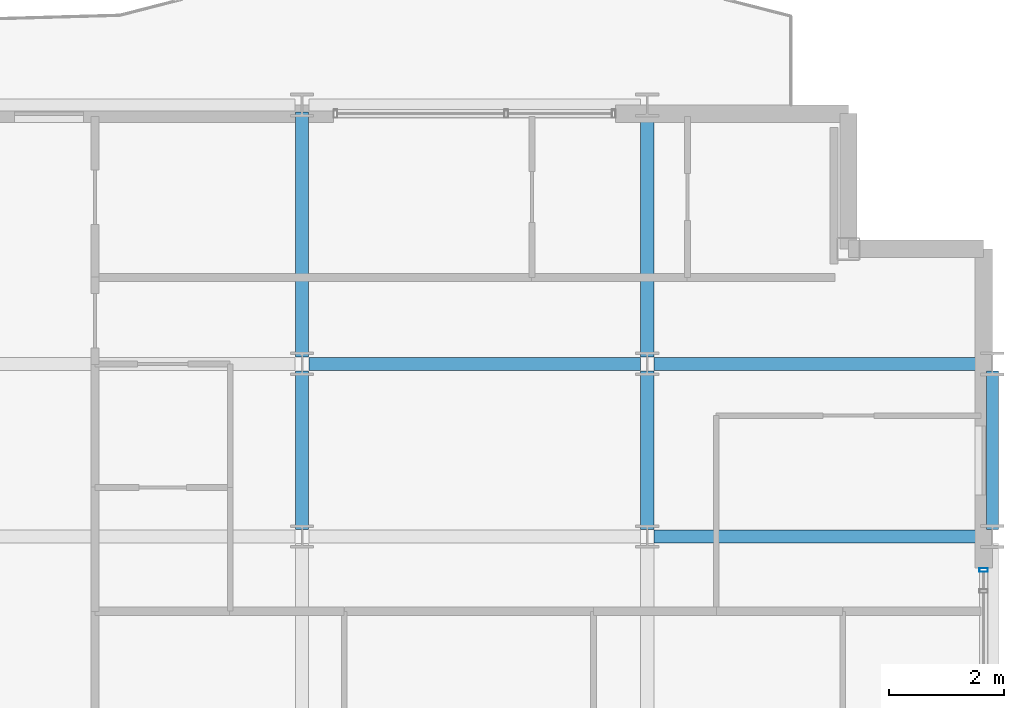
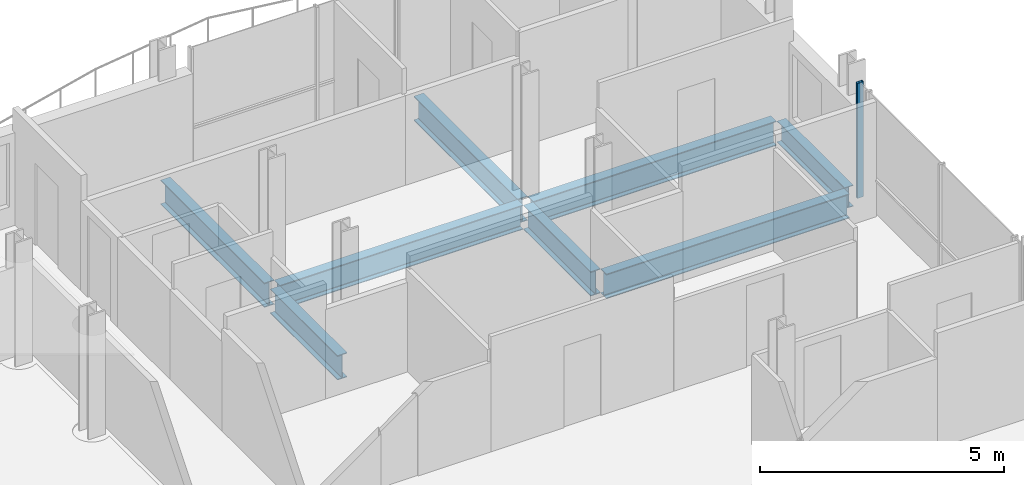
# One storey, part 22 of 41: 8 beams, 1 member, 1 element without a shape of its own.
"""IFC4 building model written with IfcOpenShell, lengths in metres."""

from ifc_helpers import new_model, si_unit, direction, frame, origin, origin_2d, place, context, subcontext, project, spatial, hollow_rectangle, i_section, extrude, material, layer, layer_set, material_profile, profile_set, type_object, element, aggregate, save


model = new_model("IFC4")

# Units and contexts
model_context = context("Model", 3, precision=1e-05, world=origin(), true_north=direction((0.0, 1.0)))
body_context = subcontext(model_context, "Body", "Model", "MODEL_VIEW")
ifc_project = project(units=[si_unit("LENGTHUNIT", "METRE"), si_unit("AREAUNIT", "SQUARE_METRE"), si_unit("VOLUMEUNIT", "CUBIC_METRE"), si_unit("PLANEANGLEUNIT", "RADIAN"), si_unit("MASSUNIT", "GRAM", prefix="KILO")], contexts=[model_context])

# Site, building, storey
site_placement = place(None, origin())
site = spatial("IfcSite", under=ifc_project, at=site_placement, CompositionType="ELEMENT")
building_placement = place(site_placement, origin())
building = spatial("IfcBuilding", under=site, at=building_placement, Name="Brevholm Reach", CompositionType="ELEMENT")
storey_placement = place(building_placement, frame((0.0, 0.0, 157.300048828125)))
storey = spatial("IfcBuildingStorey", under=building, at=storey_placement, Name="L47", CompositionType="ELEMENT", Elevation=157.300048828125)

# Beams
ifc_material_1 = material(Name="Structural Steel S355J2", Category="steel")
ifc_material_profile_1 = material_profile(ifc_material_1, i_section(OverallWidth=0.209228515625, OverallDepth=0.533203125, WebThickness=0.010009765625, FlangeThickness=0.015625, FilletRadius=0.0126953125, at=origin_2d()), Name="UKB 533x210x92")
ifc_profile_set_1 = profile_set([ifc_material_profile_1], Name="Structural Steel S355J2")
beam_type_1 = type_object("IfcBeamType", Name="BM-SP533", PredefinedType="SPANDREL", material=ifc_profile_set_1)
beam_1_placement = place(storey_placement, frame((60.0, 23.6201171875, -0.486572265625), z_axis=(0.0, 1.0, 0.0), x_axis=(-1.0, 0.0, 0.0)))
element("IfcBeam", 1, at=beam_1_placement, inside=storey, type_object=beam_type_1, Name="L47 SP-02 Framing Beam", PredefinedType="SPANDREL", context=body_context, shape_type="SweptSolid", body=[
    extrude(i_section(OverallWidth=0.209228515625, OverallDepth=0.533203125, WebThickness=0.010009765625, FlangeThickness=0.015625, FilletRadius=0.0126953125, at=origin_2d()), origin(), (0.0, 0.0, 1.0), 2.759765625),
])
ifc_material_2 = material(Name="Structural Steel S355J2", Category="steel")
ifc_material_profile_2 = material_profile(ifc_material_2, i_section(OverallWidth=0.22900390625, OverallDepth=0.6123046875, WebThickness=0.011962890625, FlangeThickness=0.01953125, FilletRadius=0.0126953125, at=origin_2d()), Name="UKB 610x229x125")
ifc_profile_set_2 = profile_set([ifc_material_profile_2], Name="Structural Steel S355J2")
beam_type_2 = type_object("IfcBeamType", Name="BM-SP610", PredefinedType="SPANDREL", material=ifc_profile_set_2)
for number, where, z_axis, x_axis, name in (
    (2, (54.1201171875, 23.5, -0.526123046875), (1.0, 0.0, 0.0), (0.0, 1.0, 0.0), "L47 SP-01 Framing Beam"),
    (3, (48.1201171875, 26.5, -0.526123046875), (1.0, 0.0, 0.0), (0.0, 1.0, 0.0), "L47 SP-01 Framing Beam"),
    (4, (54.1201171875, 26.5, -0.526123046875), (1.0, 0.0, 0.0), (0.0, 1.0, 0.0), "L47 SP-01 Framing Beam"),
):
    element("IfcBeam", number, at=place(storey_placement, frame(where, z_axis=z_axis, x_axis=x_axis)), inside=storey, type_object=beam_type_2, Name=name, PredefinedType="SPANDREL", context=body_context, shape_type="SweptSolid", body=[
        extrude(i_section(OverallWidth=0.22900390625, OverallDepth=0.6123046875, WebThickness=0.011962890625, FlangeThickness=0.01953125, FilletRadius=0.0126953125, at=origin_2d()), origin(), (0.0, 0.0, 1.0), 5.759765625),
    ])
beam_2_placement = place(storey_placement, frame((48.0, 23.6201171875, -0.526123046875), z_axis=(0.0, 1.0, 0.0), x_axis=(-1.0, 0.0, 0.0)))
element("IfcBeam", 5, at=beam_2_placement, inside=storey, type_object=beam_type_2, Name="L47 SP-01 Framing Beam", PredefinedType="SPANDREL", context=body_context, shape_type="SweptSolid", body=[
    extrude(i_section(OverallWidth=0.22900390625, OverallDepth=0.6123046875, WebThickness=0.011962890625, FlangeThickness=0.01953125, FilletRadius=0.0126953125, at=origin_2d()), origin(), (0.0, 0.0, 1.0), 2.759765625),
])
beam_3_placement = place(storey_placement, frame((48.0, 26.6201171875, -0.526123046875), z_axis=(0.0, 1.0, 0.0), x_axis=(-1.0, 0.0, 0.0)))
element("IfcBeam", 6, at=beam_3_placement, inside=storey, type_object=beam_type_2, Name="L47 SP-01 Framing Beam", PredefinedType="SPANDREL", context=body_context, shape_type="SweptSolid", body=[
    extrude(i_section(OverallWidth=0.22900390625, OverallDepth=0.6123046875, WebThickness=0.011962890625, FlangeThickness=0.01953125, FilletRadius=0.0126953125, at=origin_2d()), origin(), (0.0, 0.0, 1.0), 4.259765625),
])
beam_4_placement = place(storey_placement, frame((54.0, 23.6201171875, -0.526123046875), z_axis=(0.0, 1.0, 0.0), x_axis=(-1.0, 0.0, 0.0)))
element("IfcBeam", 7, at=beam_4_placement, inside=storey, type_object=beam_type_2, Name="L47 SP-01 Framing Beam", PredefinedType="SPANDREL", context=body_context, shape_type="SweptSolid", body=[
    extrude(i_section(OverallWidth=0.22900390625, OverallDepth=0.6123046875, WebThickness=0.011962890625, FlangeThickness=0.01953125, FilletRadius=0.0126953125, at=origin_2d()), origin(), (0.0, 0.0, 1.0), 2.759765625),
])
beam_5_placement = place(storey_placement, frame((54.0, 26.6201171875, -0.526123046875), z_axis=(0.0, 1.0, 0.0), x_axis=(-1.0, 0.0, 0.0)))
element("IfcBeam", 8, at=beam_5_placement, inside=storey, type_object=beam_type_2, Name="L47 SP-01 Framing Beam", PredefinedType="SPANDREL", context=body_context, shape_type="SweptSolid", body=[
    extrude(i_section(OverallWidth=0.22900390625, OverallDepth=0.6123046875, WebThickness=0.011962890625, FlangeThickness=0.01953125, FilletRadius=0.0126953125, at=origin_2d()), origin(), (0.0, 0.0, 1.0), 4.259765625),
])

# Curtain wall, member
ifc_material_3 = material(Name="Dark Anodised Aluminium 6063-T6 and Solar-Control Glass", Category="aluminium")
ifc_layer = layer(ifc_material_3, 0.14990234375)
ifc_layer_set = layer_set([ifc_layer], Name="Dark Anodised Aluminium 6063-T6 and Solar-Control Glass")
curtain_wall_type = type_object("IfcCurtainWallType", Name="CW-01", PredefinedType="NOTDEFINED", material=ifc_layer_set)
curtain_wall_placement = place(storey_placement, origin())
curtain_wall = element("IfcCurtainWall", 9, at=curtain_wall_placement, inside=storey, type_object=curtain_wall_type, Name="L47 Curtain Wall CW-01", PredefinedType="NOTDEFINED")
ifc_material_4 = material(Name="Dark Anodised Aluminium 6063-T6", Category="aluminium")
ifc_material_profile_3 = material_profile(ifc_material_4, hollow_rectangle(XDim=0.06494140625, YDim=0.14990234375, WallThickness=0.0048828125, InnerFilletRadius=0.0048828125, OuterFilletRadius=0.010009765625, at=origin_2d()), Name="RHS 150x65x5")
ifc_profile_set_3 = profile_set([ifc_material_profile_3], Name="Dark Anodised Aluminium 6063-T6")
member_type = type_object("IfcMemberType", Name="CWM-150", PredefinedType="MULLION", material=ifc_profile_set_3)
member_placement = place(storey_placement, frame((59.85009765625, 22.91748046875, 0.0), z_axis=(0.0, 0.0, 1.0), x_axis=(0.0, 1.0, 0.0)))
member = element("IfcMember", 10, at=member_placement, type_object=member_type, Name="CM-150 Mullion 6", PredefinedType="MULLION", context=body_context, shape_type="SweptSolid", body=[
    extrude(hollow_rectangle(XDim=0.06494140625, YDim=0.14990234375, WallThickness=0.0048828125, InnerFilletRadius=0.0048828125, OuterFilletRadius=0.010009765625, at=origin_2d()), origin(), (0.0, 0.0, 1.0), 2.8798828125),
])
aggregate(curtain_wall, [member])

save(model, "model.ifc")
